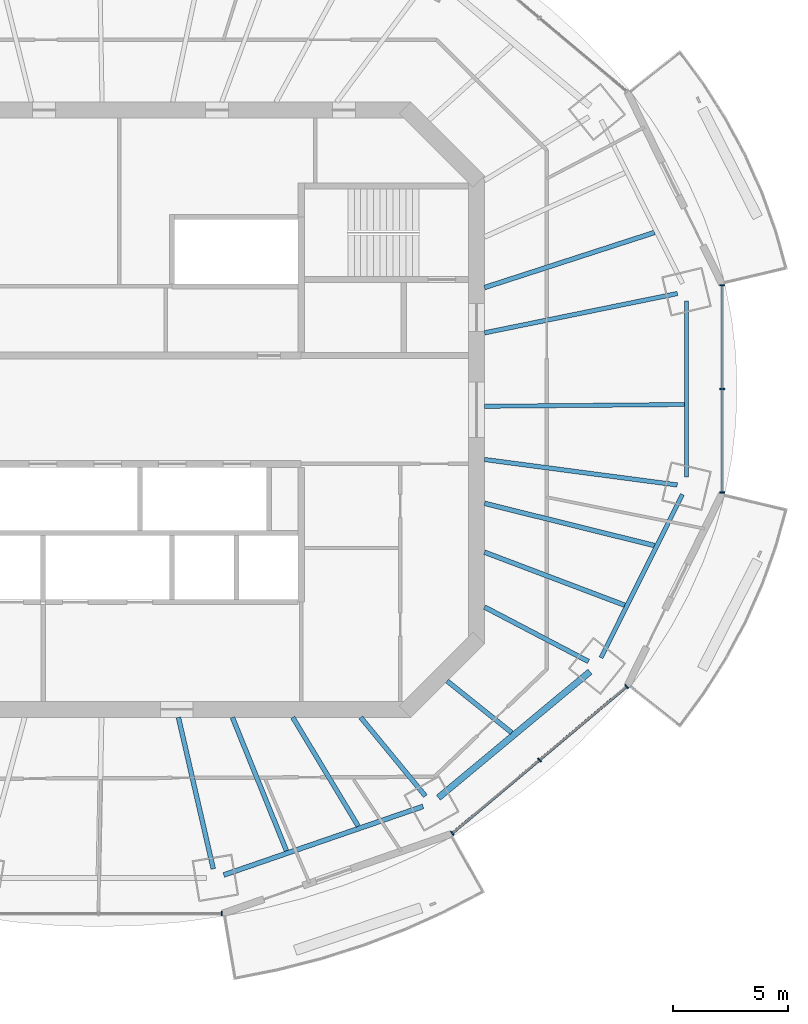
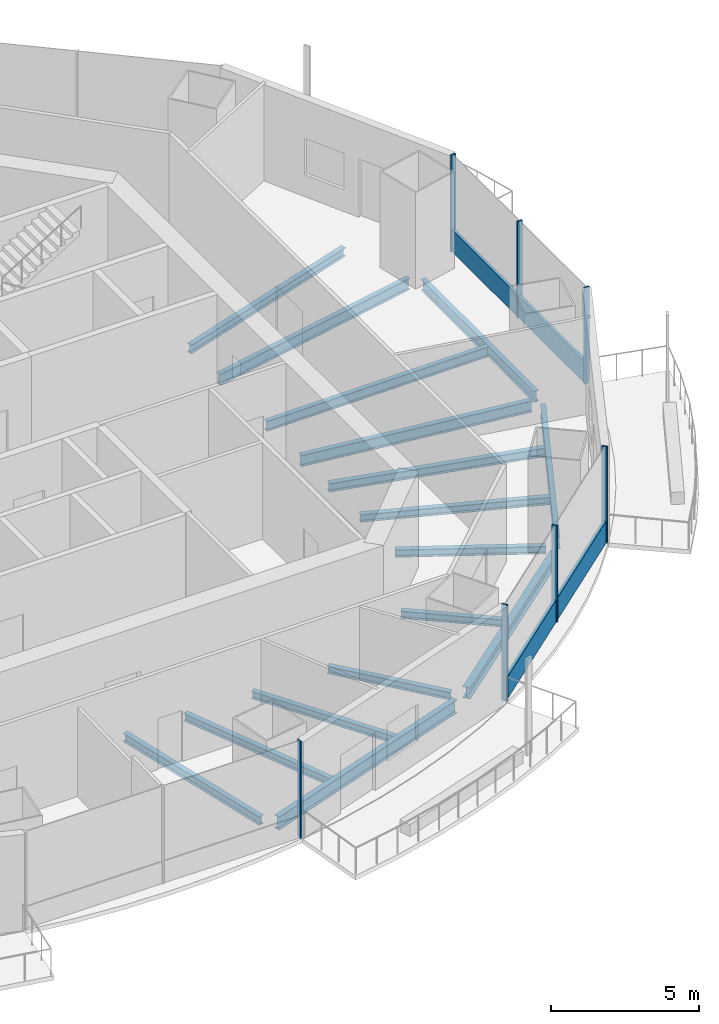
# One storey, part 4 of 16: 16 beams, 9 members, 3 elements without a shape of their own.
"""IFC4 building model written with IfcOpenShell, lengths in metres."""

from ifc_helpers import new_model, si_unit, direction, frame, origin, origin_2d, place, context, subcontext, project, spatial, rectangle, i_section, extrude, material, material_profile, profile_set, type_object, element, aggregate, save


model = new_model("IFC4")

# Units and contexts
model_context = context("Model", 3, precision=1e-05, world=origin(), true_north=direction((0.0, 1.0)))
body_context = subcontext(model_context, "Body", "Model", "MODEL_VIEW")
ifc_project = project(units=[si_unit("LENGTHUNIT", "METRE"), si_unit("AREAUNIT", "SQUARE_METRE"), si_unit("VOLUMEUNIT", "CUBIC_METRE"), si_unit("PLANEANGLEUNIT", "RADIAN"), si_unit("MASSUNIT", "GRAM", prefix="KILO")], contexts=[model_context])

# Site, building, storey
site_placement = place(None, origin())
site = spatial("IfcSite", under=ifc_project, at=site_placement, CompositionType="ELEMENT")
building_placement = place(site_placement, origin())
building = spatial("IfcBuilding", under=site, at=building_placement, Name="Marenthal Gate Tower", CompositionType="ELEMENT")
storey_placement = place(building_placement, frame((0.0, 0.0, 330.14990234375)))
storey = spatial("IfcBuildingStorey", under=building, at=storey_placement, Name="L74", CompositionType="ELEMENT", Elevation=330.14990234375)

# Curtain wall, member
ifc_material_1 = material(Name="Aluminium and glass", Category="aluminium")
curtain_wall_type = type_object("IfcCurtainWallType", Name="Curtain wall typical high", PredefinedType="NOTDEFINED", material=ifc_material_1)
curtain_wall_1_placement = place(storey_placement, origin())
curtain_wall_1 = element("IfcCurtainWall", 1, at=curtain_wall_1_placement, inside=storey, type_object=curtain_wall_type, Name="Curtain wall L74 bay 12", PredefinedType="NOTDEFINED")
ifc_material_2 = material(Name="Aluminium", Category="aluminium")
ifc_material_profile_1 = material_profile(ifc_material_2, rectangle(XDim=0.199951171875, YDim=0.06005859375, at=origin_2d()), Name="60x200 aluminium mullion")
ifc_profile_set_1 = profile_set([ifc_material_profile_1], Name="Aluminium")
member_type_1 = type_object("IfcMemberType", Name="Mullion 60x200 typical high", PredefinedType="MULLION", material=ifc_profile_set_1)
member_1_placement = place(storey_placement, frame((4.952880859375, -21.861083984375, 0.0), z_axis=(0.0, 0.0, 1.0), x_axis=(0.0, 1.0, 0.0)))
member_1 = element("IfcMember", 2, at=member_1_placement, type_object=member_type_1, Name="Mullion L74 bay 12.3", PredefinedType="MULLION", context=body_context, shape_type="SweptSolid", body=[
    extrude(rectangle(XDim=0.199951171875, YDim=0.06005859375, at=origin_2d()), origin(), (0.0, 0.0, 1.0), 3.97021484375),
])
aggregate(curtain_wall_1, [member_1])

# Curtain wall, members
curtain_wall_2_placement = place(storey_placement, origin())
curtain_wall_2 = element("IfcCurtainWall", 3, at=curtain_wall_2_placement, inside=storey, type_object=curtain_wall_type, Name="Curtain wall L74 bay 14", PredefinedType="NOTDEFINED")
member_2_placement = place(storey_placement, frame((14.9521484375, -18.376708984375, 0.0), z_axis=(0.0, 0.0, 1.0), x_axis=(-0.643676220215, 0.76529793122, 0.0)))
member_2 = element("IfcMember", 4, at=member_2_placement, type_object=member_type_1, Name="Mullion L74 bay 14.1", PredefinedType="MULLION", context=body_context, shape_type="SweptSolid", body=[
    extrude(rectangle(XDim=0.199951171875, YDim=0.06005859375, at=origin_2d()), origin(), (0.0, 0.0, 1.0), 3.97021484375),
])
member_3_placement = place(storey_placement, frame((18.735595703125, -15.194580078125, 0.0), z_axis=(0.0, 0.0, 1.0), x_axis=(-0.643676220215, 0.76529793122, 0.0)))
member_3 = element("IfcMember", 5, at=member_3_placement, type_object=member_type_1, Name="Mullion L74 bay 14.2", PredefinedType="MULLION", context=body_context, shape_type="SweptSolid", body=[
    extrude(rectangle(XDim=0.199951171875, YDim=0.06005859375, at=origin_2d()), origin(), (0.0, 0.0, 1.0), 3.97021484375),
])
member_4_placement = place(storey_placement, frame((22.518798828125, -12.012451171875, 0.0), z_axis=(0.0, 0.0, 1.0), x_axis=(-0.643676220215, 0.76529793122, 0.0)))
member_4 = element("IfcMember", 6, at=member_4_placement, type_object=member_type_1, Name="Mullion L74 bay 14.3", PredefinedType="MULLION", context=body_context, shape_type="SweptSolid", body=[
    extrude(rectangle(XDim=0.199951171875, YDim=0.06005859375, at=origin_2d()), origin(), (0.0, 0.0, 1.0), 3.97021484375),
])

curtain_wall_3_placement = place(storey_placement, origin())
curtain_wall_3 = element("IfcCurtainWall", 7, at=curtain_wall_3_placement, inside=storey, type_object=curtain_wall_type, Name="Curtain wall L74 bay 16", PredefinedType="NOTDEFINED")
member_5_placement = place(storey_placement, frame((26.661865234375, -3.597412109375, 0.0), z_axis=(0.0, 0.0, 1.0), x_axis=(-1.0, 0.0, 0.0)))
member_5 = element("IfcMember", 8, at=member_5_placement, type_object=member_type_1, Name="Mullion L74 bay 16.1", PredefinedType="MULLION", context=body_context, shape_type="SweptSolid", body=[
    extrude(rectangle(XDim=0.199951171875, YDim=0.06005859375, at=origin_2d()), origin(), (0.0, 0.0, 1.0), 3.97021484375),
])
member_6_placement = place(storey_placement, frame((26.661865234375, 0.89990234375, 0.0), z_axis=(0.0, 0.0, 1.0), x_axis=(-1.0, 0.0, 0.0)))
member_6 = element("IfcMember", 9, at=member_6_placement, type_object=member_type_1, Name="Mullion L74 bay 16.2", PredefinedType="MULLION", context=body_context, shape_type="SweptSolid", body=[
    extrude(rectangle(XDim=0.199951171875, YDim=0.06005859375, at=origin_2d()), origin(), (0.0, 0.0, 1.0), 3.97021484375),
])
member_7_placement = place(storey_placement, frame((26.661865234375, 5.3974609375, 0.0), z_axis=(0.0, 0.0, 1.0), x_axis=(-1.0, 0.0, 0.0)))
member_7 = element("IfcMember", 10, at=member_7_placement, type_object=member_type_1, Name="Mullion L74 bay 16.3", PredefinedType="MULLION", context=body_context, shape_type="SweptSolid", body=[
    extrude(rectangle(XDim=0.199951171875, YDim=0.06005859375, at=origin_2d()), origin(), (0.0, 0.0, 1.0), 3.97021484375),
])

# Member
ifc_material_3 = material(Name="Aluminium", Category="aluminium")
ifc_material_profile_2 = material_profile(ifc_material_3, rectangle(XDim=0.1201171875, YDim=0.89990234375, at=origin_2d()), Name="120x900 aluminium transom")
ifc_profile_set_2 = profile_set([ifc_material_profile_2], Name="Aluminium")
member_type_2 = type_object("IfcMemberType", Name="Transom 120x900 typical high", PredefinedType="USERDEFINED", material=ifc_profile_set_2)
member_8_placement = place(storey_placement, frame((14.97509765625, -18.357177734375, 0.4501953125), z_axis=(0.765303397989, 0.643669720451, 0.0), x_axis=(-0.643669720451, 0.765303397989, 0.0)))
member_8 = element("IfcMember", 11, at=member_8_placement, type_object=member_type_2, Name="Transom L74 bay 14", ObjectType="TRANSOM", PredefinedType="USERDEFINED", context=body_context, shape_type="SweptSolid", body=[
    extrude(rectangle(XDim=0.1201171875, YDim=0.89990234375, at=origin_2d()), origin(), (0.0, 0.0, 1.0), 9.8271484375),
])

aggregate(curtain_wall_2, [member_2, member_3, member_4, member_8])

member_9_placement = place(storey_placement, frame((26.661865234375, -3.5673828125, 0.4501953125), z_axis=(0.0, 1.0, 0.0), x_axis=(-1.0, 0.0, 0.0)))
member_9 = element("IfcMember", 12, at=member_9_placement, type_object=member_type_2, Name="Transom L74 bay 16", ObjectType="TRANSOM", PredefinedType="USERDEFINED", context=body_context, shape_type="SweptSolid", body=[
    extrude(rectangle(XDim=0.1201171875, YDim=0.89990234375, at=origin_2d()), origin(), (0.0, 0.0, 1.0), 8.934814453125),
])

aggregate(curtain_wall_3, [member_5, member_6, member_7, member_9])

# Beams
ifc_material_4 = material(Name="Steel S355", Category="steel")
ifc_material_profile_3 = material_profile(ifc_material_4, i_section(OverallWidth=0.202880859375, OverallDepth=0.302001953125, WebThickness=0.007568359375, FlangeThickness=0.01318359375, FilletRadius=0.0126953125, at=origin_2d()), Name="W310X60")
ifc_profile_set_3 = profile_set([ifc_material_profile_3], Name="Steel S355")
beam_type_1 = type_object("IfcBeamType", Name="W310X60 beam", PredefinedType="BEAM", material=ifc_profile_set_3)
beam_1_placement = place(storey_placement, frame((10.8701171875, -18.06591796875, -0.330810546875), z_axis=(-0.51555217698, 0.856858187106, 0.0), x_axis=(-0.856858187106, -0.51555217698, 0.0)))
element("IfcBeam", 13, at=beam_1_placement, inside=storey, type_object=beam_type_1, Name="BM-L74-36", PredefinedType="BEAM", context=body_context, shape_type="SweptSolid", body=[
    extrude(i_section(OverallWidth=0.202880859375, OverallDepth=0.302001953125, WebThickness=0.007568359375, FlangeThickness=0.01318359375, FilletRadius=0.0126953125, at=origin_2d()), origin(), (0.0, 0.0, 1.0), 5.503662109375),
])
beam_2_placement = place(storey_placement, frame((17.528564453125, -14.009765625, -0.330810546875), z_axis=(-0.781160795832, 0.624329889605, 0.0), x_axis=(-0.624329889605, -0.781160795832, 0.0)))
element("IfcBeam", 14, at=beam_2_placement, inside=storey, type_object=beam_type_1, Name="BM-L74-37", PredefinedType="BEAM", context=body_context, shape_type="SweptSolid", body=[
    extrude(i_section(OverallWidth=0.202880859375, OverallDepth=0.302001953125, WebThickness=0.007568359375, FlangeThickness=0.01318359375, FilletRadius=0.0126953125, at=origin_2d()), origin(), (0.0, 0.0, 1.0), 3.588134765625),
])
ifc_material_5 = material(Name="Steel S355", Category="steel")
ifc_material_profile_4 = material_profile(ifc_material_5, i_section(OverallWidth=0.205078125, OverallDepth=0.31005859375, WebThickness=0.009521484375, FlangeThickness=0.016357421875, FilletRadius=0.0126953125, at=origin_2d()), Name="W310X74")
ifc_profile_set_4 = profile_set([ifc_material_profile_4], Name="Steel S355")
beam_type_2 = type_object("IfcBeamType", Name="W310X74 beam", PredefinedType="BEAM", material=ifc_profile_set_4)
beam_3_placement = place(storey_placement, frame((13.787841796875, -16.76171875, -0.3349609375), z_axis=(-0.635279045453, 0.772282677786, 0.0), x_axis=(-0.772282677786, -0.635279045453, 0.0)))
element("IfcBeam", 15, at=beam_3_placement, inside=storey, type_object=beam_type_2, Name="BM-L74-14", PredefinedType="BEAM", context=body_context, shape_type="SweptSolid", body=[
    extrude(i_section(OverallWidth=0.205078125, OverallDepth=0.31005859375, WebThickness=0.009521484375, FlangeThickness=0.016357421875, FilletRadius=0.0126953125, at=origin_2d()), origin(), (0.0, 0.0, 1.0), 4.41748046875),
])
beam_4_placement = place(storey_placement, frame((20.8583984375, -10.921630859375, -0.3349609375), z_axis=(-0.885903828279, 0.463868954599, 0.0), x_axis=(-0.463868954599, -0.885903828279, 0.0)))
element("IfcBeam", 16, at=beam_4_placement, inside=storey, type_object=beam_type_2, Name="BM-L74-15", PredefinedType="BEAM", context=body_context, shape_type="SweptSolid", body=[
    extrude(i_section(OverallWidth=0.205078125, OverallDepth=0.31005859375, WebThickness=0.009521484375, FlangeThickness=0.016357421875, FilletRadius=0.0126953125, at=origin_2d()), origin(), (0.0, 0.0, 1.0), 5.0888671875),
])
beam_5_placement = place(storey_placement, frame((7.760498046875, -19.13671875, -0.3349609375), z_axis=(-0.375808566088, 0.926697319331, 0.0), x_axis=(-0.926697319331, -0.375808566088, 0.0)))
element("IfcBeam", 17, at=beam_5_placement, inside=storey, type_object=beam_type_2, Name="BM-L74-35", PredefinedType="BEAM", context=body_context, shape_type="SweptSolid", body=[
    extrude(i_section(OverallWidth=0.205078125, OverallDepth=0.31005859375, WebThickness=0.009521484375, FlangeThickness=0.016357421875, FilletRadius=0.0126953125, at=origin_2d()), origin(), (0.0, 0.0, 1.0), 6.244384765625),
])
beam_6_placement = place(storey_placement, frame((22.43310546875, -8.482666015625, -0.3349609375), z_axis=(-0.935356762077, 0.353705707669, 0.0), x_axis=(-0.353705707669, -0.935356762077, 0.0)))
element("IfcBeam", 18, at=beam_6_placement, inside=storey, type_object=beam_type_2, Name="BM-L74-38", PredefinedType="BEAM", context=body_context, shape_type="SweptSolid", body=[
    extrude(i_section(OverallWidth=0.205078125, OverallDepth=0.31005859375, WebThickness=0.009521484375, FlangeThickness=0.016357421875, FilletRadius=0.0126953125, at=origin_2d()), origin(), (0.0, 0.0, 1.0), 6.50341796875),
])
ifc_material_6 = material(Name="Steel S355", Category="steel")
ifc_material_profile_5 = material_profile(ifc_material_6, i_section(OverallWidth=0.205078125, OverallDepth=0.35302734375, WebThickness=0.009521484375, FlangeThickness=0.016845703125, FilletRadius=0.014892578125, at=origin_2d()), Name="W360X79")
ifc_profile_set_5 = profile_set([ifc_material_profile_5], Name="Steel S355")
beam_type_3 = type_object("IfcBeamType", Name="W360X79 beam", PredefinedType="BEAM", material=ifc_profile_set_5)
beam_7_placement = place(storey_placement, frame((4.584716796875, -19.919921875, -0.3564453125), z_axis=(-0.224309344002, 0.97451799275, 0.0), x_axis=(-0.97451799275, -0.224309344002, 0.0)))
element("IfcBeam", 19, at=beam_7_placement, inside=storey, type_object=beam_type_3, Name="BM-L74-13", PredefinedType="BEAM", context=body_context, shape_type="SweptSolid", body=[
    extrude(i_section(OverallWidth=0.205078125, OverallDepth=0.35302734375, WebThickness=0.009521484375, FlangeThickness=0.016845703125, FilletRadius=0.014892578125, at=origin_2d()), origin(), (0.0, 0.0, 1.0), 6.74169921875),
])
beam_8_placement = place(storey_placement, frame((23.7255859375, 7.68798828125, -0.3564453125), z_axis=(-0.951304454926, -0.308252873528, 0.0), x_axis=(0.308252873528, -0.951304454926, 0.0)))
element("IfcBeam", 20, at=beam_8_placement, inside=storey, type_object=beam_type_3, Name="BM-L74-17", PredefinedType="BEAM", context=body_context, shape_type="SweptSolid", body=[
    extrude(i_section(OverallWidth=0.205078125, OverallDepth=0.35302734375, WebThickness=0.009521484375, FlangeThickness=0.016845703125, FilletRadius=0.014892578125, at=origin_2d()), origin(), (0.0, 0.0, 1.0), 7.7529296875),
])
beam_9_placement = place(storey_placement, frame((23.72265625, -5.894287109375, -0.3564453125), z_axis=(-0.970493104416, 0.24112887484, 0.0), x_axis=(-0.24112887484, -0.970493104416, 0.0)))
element("IfcBeam", 21, at=beam_9_placement, inside=storey, type_object=beam_type_3, Name="BM-L74-39", PredefinedType="BEAM", context=body_context, shape_type="SweptSolid", body=[
    extrude(i_section(OverallWidth=0.205078125, OverallDepth=0.35302734375, WebThickness=0.009521484375, FlangeThickness=0.016845703125, FilletRadius=0.014892578125, at=origin_2d()), origin(), (0.0, 0.0, 1.0), 7.5966796875),
])
ifc_material_7 = material(Name="Steel S355", Category="steel")
ifc_material_profile_6 = material_profile(ifc_material_7, i_section(OverallWidth=0.180908203125, OverallDepth=0.4169921875, WebThickness=0.010986328125, FlangeThickness=0.018310546875, FilletRadius=0.01025390625, at=origin_2d()), Name="W410X85")
ifc_profile_set_6 = profile_set([ifc_material_profile_6], Name="Steel S355")
beam_type_4 = type_object("IfcBeamType", Name="W410X85 beam", PredefinedType="BEAM", material=ifc_profile_set_6)
beam_10_placement = place(storey_placement, frame((25.0166015625, 0.22412109375, -0.388427734375), z_axis=(-0.999959877283, -0.00895789174, 0.0), x_axis=(0.00895789174, -0.999959877283, 0.0)))
element("IfcBeam", 22, at=beam_10_placement, inside=storey, type_object=beam_type_4, Name="BM-L74-40", PredefinedType="BEAM", context=body_context, shape_type="SweptSolid", body=[
    extrude(i_section(OverallWidth=0.180908203125, OverallDepth=0.4169921875, WebThickness=0.010986328125, FlangeThickness=0.018310546875, FilletRadius=0.01025390625, at=origin_2d()), origin(), (0.0, 0.0, 1.0), 8.666748046875),
])
ifc_material_8 = material(Name="Steel S355", Category="steel")
ifc_material_profile_7 = material_profile(ifc_material_8, i_section(OverallWidth=0.279052734375, OverallDepth=0.4619140625, WebThickness=0.0107421875, FlangeThickness=0.017333984375, FilletRadius=0.010009765625, at=origin_2d()), Name="W460X113")
ifc_profile_set_7 = profile_set([ifc_material_profile_7], Name="Steel S355")
beam_type_5 = type_object("IfcBeamType", Name="W460X113 beam", PredefinedType="BEAM", material=ifc_profile_set_7)
beam_11_placement = place(storey_placement, frame((14.351806640625, -16.83251953125, -0.410888671875), z_axis=(0.768948693019, 0.639310493817, 0.0), x_axis=(-0.639310493817, 0.768948693019, 0.0)))
element("IfcBeam", 23, at=beam_11_placement, inside=storey, type_object=beam_type_5, Name="BM-L74-54", PredefinedType="BEAM", context=body_context, shape_type="SweptSolid", body=[
    extrude(i_section(OverallWidth=0.279052734375, OverallDepth=0.4619140625, WebThickness=0.0107421875, FlangeThickness=0.017333984375, FilletRadius=0.010009765625, at=origin_2d()), origin(), (0.0, 0.0, 1.0), 8.550048828125),
])
ifc_material_9 = material(Name="Steel S355", Category="steel")
ifc_material_profile_8 = material_profile(ifc_material_9, i_section(OverallWidth=0.19091796875, OverallDepth=0.45703125, WebThickness=0.009033203125, FlangeThickness=0.014404296875, FilletRadius=0.01025390625, at=origin_2d()), Name="W460X74")
ifc_profile_set_8 = profile_set([ifc_material_profile_8], Name="Steel S355")
beam_type_6 = type_object("IfcBeamType", Name="W460X74 beam", PredefinedType="BEAM", material=ifc_profile_set_8)
beam_12_placement = place(storey_placement, frame((21.404541015625, -10.76123046875, -0.408447265625), z_axis=(0.445942547234, 0.895061587024, 0.0), x_axis=(-0.895061587024, 0.445942547234, 0.0)))
element("IfcBeam", 24, at=beam_12_placement, inside=storey, type_object=beam_type_6, Name="BM-L74-55", PredefinedType="BEAM", context=body_context, shape_type="SweptSolid", body=[
    extrude(i_section(OverallWidth=0.19091796875, OverallDepth=0.45703125, WebThickness=0.009033203125, FlangeThickness=0.014404296875, FilletRadius=0.01025390625, at=origin_2d()), origin(), (0.0, 0.0, 1.0), 7.91650390625),
])
beam_13_placement = place(storey_placement, frame((25.1123046875, -2.91943359375, -0.408447265625), z_axis=(0.0, 1.0, 0.0), x_axis=(-1.0, 0.0, 0.0)))
element("IfcBeam", 25, at=beam_13_placement, inside=storey, type_object=beam_type_6, Name="BM-L74-56", PredefinedType="BEAM", context=body_context, shape_type="SweptSolid", body=[
    extrude(i_section(OverallWidth=0.19091796875, OverallDepth=0.45703125, WebThickness=0.009033203125, FlangeThickness=0.014404296875, FilletRadius=0.01025390625, at=origin_2d()), origin(), (0.0, 0.0, 1.0), 7.638916015625),
])
ifc_material_10 = material(Name="Steel S355", Category="steel")
ifc_material_profile_9 = material_profile(ifc_material_10, i_section(OverallWidth=0.193115234375, OverallDepth=0.467041015625, WebThickness=0.011474609375, FlangeThickness=0.01904296875, FilletRadius=0.010009765625, at=origin_2d()), Name="W460X97")
ifc_profile_set_9 = profile_set([ifc_material_profile_9], Name="Steel S355")
beam_type_7 = type_object("IfcBeamType", Name="W460X97 beam", PredefinedType="BEAM", material=ifc_profile_set_9)
beam_14_placement = place(storey_placement, frame((24.7197265625, 5.039306640625, -0.413330078125), z_axis=(-0.97984506537, -0.199758974443, 0.0), x_axis=(0.199758974443, -0.97984506537, 0.0)))
element("IfcBeam", 26, at=beam_14_placement, inside=storey, type_object=beam_type_7, Name="BM-L74-01", PredefinedType="BEAM", context=body_context, shape_type="SweptSolid", body=[
    extrude(i_section(OverallWidth=0.193115234375, OverallDepth=0.467041015625, WebThickness=0.011474609375, FlangeThickness=0.01904296875, FilletRadius=0.010009765625, at=origin_2d()), origin(), (0.0, 0.0, 1.0), 8.541748046875),
])
beam_15_placement = place(storey_placement, frame((24.7109375, -3.26611328125, -0.413330078125), z_axis=(-0.991379445633, 0.131022115603, 0.0), x_axis=(-0.131022115603, -0.991379445633, 0.0)))
element("IfcBeam", 27, at=beam_15_placement, inside=storey, type_object=beam_type_7, Name="BM-L74-16", PredefinedType="BEAM", context=body_context, shape_type="SweptSolid", body=[
    extrude(i_section(OverallWidth=0.193115234375, OverallDepth=0.467041015625, WebThickness=0.011474609375, FlangeThickness=0.01904296875, FilletRadius=0.010009765625, at=origin_2d()), origin(), (0.0, 0.0, 1.0), 8.43359375),
])
ifc_material_11 = material(Name="Steel S355", Category="steel")
ifc_material_profile_10 = material_profile(ifc_material_11, i_section(OverallWidth=0.2119140625, OverallDepth=0.5439453125, WebThickness=0.01318359375, FlangeThickness=0.021240234375, FilletRadius=0.0126953125, at=origin_2d()), Name="W530X123")
ifc_profile_set_10 = profile_set([ifc_material_profile_10], Name="Steel S355")
beam_type_8 = type_object("IfcBeamType", Name="W530X123 beam", PredefinedType="BEAM", material=ifc_profile_set_10)
beam_16_placement = place(storey_placement, frame((5.041015625, -20.185302734375, -0.451904296875), z_axis=(0.945501195555, 0.325618625394, 0.0), x_axis=(-0.325618625394, 0.945501195555, 0.0)))
element("IfcBeam", 28, at=beam_16_placement, inside=storey, type_object=beam_type_8, Name="BM-L74-53", PredefinedType="BEAM", context=body_context, shape_type="SweptSolid", body=[
    extrude(i_section(OverallWidth=0.2119140625, OverallDepth=0.5439453125, WebThickness=0.01318359375, FlangeThickness=0.021240234375, FilletRadius=0.0126953125, at=origin_2d()), origin(), (0.0, 0.0, 1.0), 9.141357421875),
])

save(model, "model.ifc")
